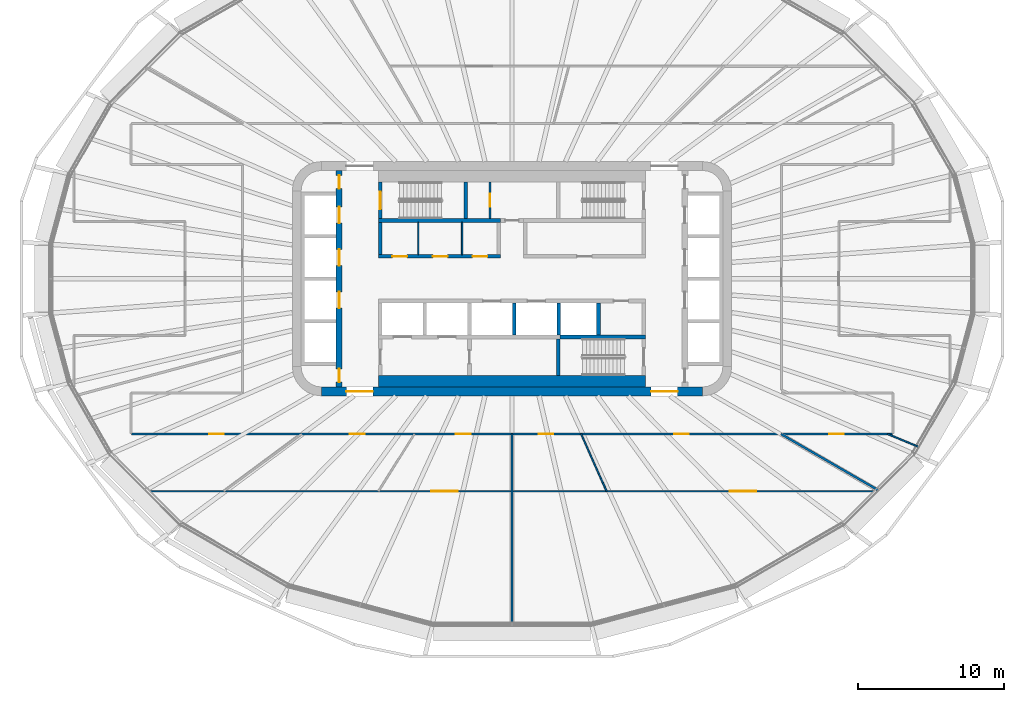
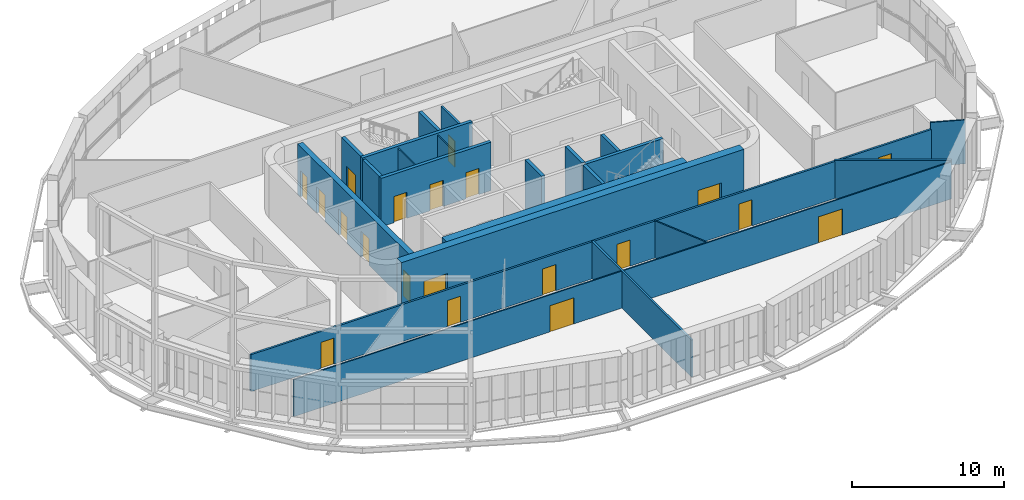
# One storey, part 15 of 25: 22 walls, 20 doors, 20 openings.
"""IFC4 building model written with IfcOpenShell, lengths in metres."""

import ifcopenshell
import ifcopenshell.guid

model = None  # the IFC model being written
_history = None  # IfcOwnerHistory: only IFC2X3 demands one
_inside = {}  # id of a spatial element -> (the spatial element, [elements in it])
_under = {}  # id of a project, library or spatial element -> (it, [spatial elements below it])
_declared = {}  # id of a project -> (the project, [libraries it declares])
_typed = {}  # id of a type object -> (the type object, [elements of that type])
_made_of = {}  # id of a material, layer set ... -> (it, [elements and type objects made of it])


def new_model(schema):
    """Start an empty IFC model of exactly this schema.

    Asked for "IFC4X3", IfcOpenShell would pick the latest addendum, in which some entities
    have other attributes; the version numbers below select the first issue.
    IFC2X3 requires an IfcOwnerHistory on every rooted entity: one is made here for all.
    """
    global model, _history
    if schema == "IFC4X3":
        model = ifcopenshell.file(schema_version=(4, 3, 0, 0))
    else:
        model = ifcopenshell.file(schema=schema)
    _inside.clear()
    _under.clear()
    _declared.clear()
    _typed.clear()
    _made_of.clear()
    _history = None
    if model.schema == "IFC2X3":
        org = make("IfcOrganization", Name="unknown")
        user = make(
            "IfcPersonAndOrganization",
            ThePerson=make("IfcPerson", FamilyName="unknown"),
            TheOrganization=org,
        )
        app = make(
            "IfcApplication",
            ApplicationDeveloper=org,
            Version="unknown",
            ApplicationFullName="unknown",
            ApplicationIdentifier="unknown",
        )
        _history = make(
            "IfcOwnerHistory",
            OwningUser=user,
            OwningApplication=app,
            ChangeAction="ADDED",
            CreationDate=0,
        )
    return model


def make(cls, **values):
    """One entity of the class cls with the attributes given. An attribute that is None is left unset."""
    return model.create_entity(
        cls, **{name: value for name, value in values.items() if value is not None}
    )


def rooted(cls, **values):
    """An entity with a GlobalId (a new one), such as an element, a storey or a relation."""
    return make(cls, GlobalId=ifcopenshell.guid.new(), OwnerHistory=_history, **values)


def si_unit(unit_type, name, prefix=None):
    """IfcSIUnit, for example si_unit("LENGTHUNIT", "METRE", prefix="MILLI")."""
    return make("IfcSIUnit", UnitType=unit_type, Prefix=prefix, Name=name)


def assignment(units):
    """IfcUnitAssignment: the units of a project."""
    return None if units is None else make("IfcUnitAssignment", Units=units)


def point(xyz):
    """IfcCartesianPoint."""
    return None if xyz is None else make("IfcCartesianPoint", Coordinates=xyz)


def direction(xyz):
    """IfcDirection."""
    return None if xyz is None else make("IfcDirection", DirectionRatios=xyz)


def frame(location, z_axis=None, x_axis=None):
    """IfcAxis2Placement3D, a coordinate frame: its origin and axes. An axis left out is left unset."""
    return make(
        "IfcAxis2Placement3D",
        Location=point(location),
        Axis=direction(z_axis),
        RefDirection=direction(x_axis),
    )


def frame_2d(location, x_axis=None):
    """IfcAxis2Placement2D, a coordinate frame in the plane: its origin and x axis."""
    return make(
        "IfcAxis2Placement2D", Location=point(location), RefDirection=direction(x_axis)
    )


def origin():
    """The frame at (0, 0, 0) with its axes left unset."""
    return frame((0.0, 0.0, 0.0))


def place(relative_to, where):
    """IfcLocalPlacement: puts the frame where relative to a parent placement (None: the world)."""
    return make(
        "IfcLocalPlacement", PlacementRelTo=relative_to, RelativePlacement=where
    )


def context(
    kind, dimensions, precision=None, world=None, true_north=None, identifier=None
):
    """IfcGeometricRepresentationContext, for example the 3D "Model" context."""
    return make(
        "IfcGeometricRepresentationContext",
        ContextIdentifier=identifier,
        ContextType=kind,
        CoordinateSpaceDimension=dimensions,
        Precision=precision,
        WorldCoordinateSystem=world,
        TrueNorth=true_north,
    )


def subcontext(parent, identifier, kind, view, scale=None):
    """IfcGeometricRepresentationSubContext, for example "Body" below "Model"."""
    return make(
        "IfcGeometricRepresentationSubContext",
        ContextIdentifier=identifier,
        ContextType=kind,
        ParentContext=parent,
        TargetScale=scale,
        TargetView=view,
    )


def project(units=None, contexts=None):
    """IfcProject with its units and contexts."""
    return rooted(
        "IfcProject",
        Name="project",
        RepresentationContexts=contexts,
        UnitsInContext=assignment(units),
    )


def spatial(cls, under=None, at=None, **own):
    """A site, building, storey or space (cls), placed at a placement, below another one or the project."""
    s = rooted(cls, ObjectPlacement=at, **own)
    if under is not None:
        _under.setdefault(under.id(), (under, []))[1].append(s)
    return s


def profile(cls, at=None, kind="AREA", **sizes):
    """A parametric profile (cls). Its sizes go by their IFC names, for example OverallWidth=200.0."""
    return make(cls, ProfileType=kind, Position=at, **sizes)


def rectangle(**sizes):
    """IfcRectangleProfileDef."""
    return profile("IfcRectangleProfileDef", **sizes)


def extrude(swept, where, along, depth):
    """IfcExtrudedAreaSolid: the profile swept, set in the frame where, extruded along a direction by depth."""
    return make(
        "IfcExtrudedAreaSolid",
        SweptArea=swept,
        Position=where,
        ExtrudedDirection=direction(along),
        Depth=depth,
    )


def shape(context_of_items, identifier, shape_type, items):
    """IfcShapeRepresentation: the items that make up one representation, for example the "Body"."""
    return make(
        "IfcShapeRepresentation",
        ContextOfItems=context_of_items,
        RepresentationIdentifier=identifier,
        RepresentationType=shape_type,
        Items=items,
    )


def material(Name=None, Category=None):
    """IfcMaterial."""
    return make("IfcMaterial", Name=Name, Category=Category)


def layer(
    of_material, thickness, ventilated=None, Name=None, Category=None, Priority=None
):
    """IfcMaterialLayer: one layer of a wall or slab, of a material (None: an air gap)."""
    return make(
        "IfcMaterialLayer",
        Material=of_material,
        LayerThickness=thickness,
        IsVentilated=ventilated,
        Name=Name,
        Category=Category,
        Priority=Priority,
    )


def layer_set(layers, Name=None):
    """IfcMaterialLayerSet."""
    return make("IfcMaterialLayerSet", MaterialLayers=layers, LayerSetName=Name)


def made_of(thing, what):
    """Note that an element or type object is made of a material, layer set ...; save() writes the relation."""
    if what is not None:
        _made_of.setdefault(what.id(), (what, []))[1].append(thing)
    return thing


def type_object(cls, material=None, **own):
    """A type object (cls), such as IfcWallType, which elements share."""
    return made_of(rooted(cls, **own), material)


def element(
    cls,
    number,
    at=None,
    inside=None,
    cuts=None,
    type_object=None,
    material=None,
    context=None,
    identifier="Body",
    shape_type=None,
    held_by="IfcProductDefinitionShape",
    body=None,
    shapes=None,
    **own,
):
    """One element of the class cls, such as IfcWall. Its Tag is "e" and its number.

    at: its placement. inside: the storey or other place that contains it. cuts: it is an
    opening in that element (IfcRelVoidsElement). A single representation is given by context,
    identifier, shape_type and body (its items); several are given by shapes. held_by: the class
    of the entity that holds the representations. save() writes the other relations.
    """
    e = rooted(cls, Tag="e%d" % number, ObjectPlacement=at, **own)
    if body is not None:
        shapes = [shape(context, identifier, shape_type, body)]
    if shapes is not None:
        e.Representation = make(held_by, Representations=shapes)
    if inside is not None:
        _inside.setdefault(inside.id(), (inside, []))[1].append(e)
    if cuts is not None:
        rooted(
            "IfcRelVoidsElement", RelatingBuildingElement=cuts, RelatedOpeningElement=e
        )
    if type_object is not None:
        _typed.setdefault(type_object.id(), (type_object, []))[1].append(e)
    return made_of(e, material)


def fill(opening, filler):
    """IfcRelFillsElement: the door or window that sits in an opening."""
    return rooted(
        "IfcRelFillsElement",
        RelatingOpeningElement=opening,
        RelatedBuildingElement=filler,
    )


def aggregate(whole, parts):
    """IfcRelAggregates: a whole, such as a stair, and the parts it consists of."""
    return rooted("IfcRelAggregates", RelatingObject=whole, RelatedObjects=parts)


def save(model, path):
    """Write the relations noted so far, then the file.

    IfcRelAggregates (storeys below a building ...), IfcRelContainedInSpatialStructure (elements
    in a storey), IfcRelDefinesByType, IfcRelAssociatesMaterial and IfcRelDeclares: one each for
    every whole, place, type object, material and project.
    """
    for whole, parts in _under.values():
        aggregate(whole, parts)
    for where, things in _inside.values():
        rooted(
            "IfcRelContainedInSpatialStructure",
            RelatedElements=things,
            RelatingStructure=where,
        )
    for kind, things in _typed.values():
        rooted("IfcRelDefinesByType", RelatedObjects=things, RelatingType=kind)
    for what, things in _made_of.values():
        rooted("IfcRelAssociatesMaterial", RelatedObjects=things, RelatingMaterial=what)
    for by, libraries in _declared.values():
        rooted("IfcRelDeclares", RelatingContext=by, RelatedDefinitions=libraries)
    model.write(path)


model = new_model("IFC4")

# Units and contexts
model_context = context("Model", 3, precision=1e-05, world=origin(), true_north=direction((0.0, 1.0)))
body_context = subcontext(model_context, "Body", "Model", "MODEL_VIEW")
ifc_project = project(units=[si_unit("LENGTHUNIT", "METRE"), si_unit("AREAUNIT", "SQUARE_METRE"), si_unit("VOLUMEUNIT", "CUBIC_METRE"), si_unit("PLANEANGLEUNIT", "RADIAN"), si_unit("MASSUNIT", "GRAM", prefix="KILO")], contexts=[model_context])

# Site, building, storey
site_placement = place(None, origin())
site = spatial("IfcSite", under=ifc_project, at=site_placement, CompositionType="ELEMENT")
building_placement = place(site_placement, origin())
building = spatial("IfcBuilding", under=site, at=building_placement, Name="Sahrelin Media Tower", CompositionType="ELEMENT")
storey_placement = place(building_placement, frame((0.0, 0.0, 135.60009765625)))
storey = spatial("IfcBuildingStorey", under=building, at=storey_placement, Name="L27", CompositionType="ELEMENT", Elevation=135.60009765625)

# Wall, openings, doors
ifc_material_1 = material(Name="Concrete C60/75", Category="concrete")
ifc_layer_1 = layer(ifc_material_1, 0.60009765625)
ifc_layer_set_1 = layer_set([ifc_layer_1], Name="Core wall 600")
wall_type_1 = type_object("IfcWallType", Name="Core wall 600", PredefinedType="SHEAR", material=ifc_layer_set_1)
wall_1_placement = place(storey_placement, frame((-13.0, -7.699951171875, 0.0), z_axis=(0.0, 0.0, 1.0), x_axis=(1.0, 0.0, 0.0)))
wall_1 = element("IfcWall", 1, at=wall_1_placement, inside=storey, type_object=wall_type_1, Name="Core wall S L27", PredefinedType="SHEAR", context=body_context, shape_type="SweptSolid", body=[
    extrude(rectangle(XDim=26.0, YDim=0.60009765625, at=frame_2d((13.0, 0.0))), origin(), (0.0, 0.0, 1.0), 4.199951171875),
])
opening_1_placement = place(wall_1_placement, frame((1.699951171875, 0.0, 0.0)))
opening_1 = element("IfcOpeningElement", 2, at=opening_1_placement, cuts=wall_1, Name="Opening L27-D19", PredefinedType="OPENING", context=body_context, shape_type="SweptSolid", body=[
    extrude(rectangle(XDim=1.800048828125, YDim=2.10009765625, at=frame_2d((0.89990234375, 1.050048828125))), frame((0.0, 0.300048828125, 0.0), z_axis=(0.0, -1.0, 0.0), x_axis=(1.0, 0.0, 0.0)), (0.0, 0.0, 1.0), 0.60009765625),
])
opening_2_placement = place(wall_1_placement, frame((22.5, 0.0, 0.0)))
opening_2 = element("IfcOpeningElement", 3, at=opening_2_placement, cuts=wall_1, Name="Opening L27-D20", PredefinedType="OPENING", context=body_context, shape_type="SweptSolid", body=[
    extrude(rectangle(XDim=1.800048828125, YDim=2.10009765625, at=frame_2d((0.89990234375, 1.050048828125))), frame((0.0, 0.300048828125, 0.0), z_axis=(0.0, -1.0, 0.0), x_axis=(1.0, 0.0, 0.0)), (0.0, 0.0, 1.0), 0.60009765625),
])
ifc_material_2 = material(Name="Steel fire door leaf", Category="steel")
door_type_1 = type_object("IfcDoorType", Name="Lobby double door 1800 x 2100 EI 60", OperationType="DOUBLE_DOOR_SINGLE_SWING", PredefinedType="DOOR", material=ifc_material_2)
door_1_placement = place(opening_1_placement, origin())
door_1 = element("IfcDoor", 4, at=door_1_placement, inside=storey, type_object=door_type_1, Name="Lobby door", OperationType="DOUBLE_DOOR_SINGLE_SWING", OverallHeight=2.10009765625, OverallWidth=1.800048828125, PredefinedType="DOOR", context=body_context, shape_type="SweptSolid", body=[
    extrude(rectangle(XDim=1.800048828125, YDim=2.10009765625, at=frame_2d((0.89990234375, 1.050048828125))), frame((0.0, 0.02490234375, 0.0), z_axis=(0.0, -1.0, 0.0), x_axis=(1.0, 0.0, 0.0)), (0.0, 0.0, 1.0), 0.050048828125),
])
fill(opening_1, door_1)
door_2_placement = place(opening_2_placement, origin())
door_2 = element("IfcDoor", 5, at=door_2_placement, inside=storey, type_object=door_type_1, Name="Lobby door", OperationType="DOUBLE_DOOR_SINGLE_SWING", OverallHeight=2.10009765625, OverallWidth=1.800048828125, PredefinedType="DOOR", context=body_context, shape_type="SweptSolid", body=[
    extrude(rectangle(XDim=1.800048828125, YDim=2.10009765625, at=frame_2d((0.89990234375, 1.050048828125))), frame((0.0, 0.02490234375, 0.0), z_axis=(0.0, -1.0, 0.0), x_axis=(1.0, 0.0, 0.0)), (0.0, 0.0, 1.0), 0.050048828125),
])
fill(opening_2, door_2)

ifc_material_3 = material(Name="Fire-rated gypsum board partition")
ifc_layer_2 = layer(ifc_material_3, 0.25)
ifc_layer_set_2 = layer_set([ifc_layer_2], Name="Fire-rated lobby wall 250")
wall_type_2 = type_object("IfcWallType", Name="Fire-rated lobby wall 250", PredefinedType="PARTITIONING", material=ifc_layer_set_2)
wall_2_placement = place(storey_placement, frame((-9.125, 1.52490234375, 0.0), z_axis=(0.0, 0.0, 1.0), x_axis=(1.0, 0.0, 0.0)))
wall_2 = element("IfcWall", 6, at=wall_2_placement, inside=storey, type_object=wall_type_2, Name="Core lobby wall", PredefinedType="PARTITIONING", context=body_context, shape_type="SweptSolid", body=[
    extrude(rectangle(XDim=8.35009765625, YDim=0.25, at=frame_2d((4.175048828125, 0.0))), origin(), (0.0, 0.0, 1.0), 3.89990234375),
])
opening_3_placement = place(wall_2_placement, frame((0.96240234375, 0.0, 0.0)))
opening_3 = element("IfcOpeningElement", 7, at=opening_3_placement, cuts=wall_2, Name="Opening L27-D08", PredefinedType="OPENING", context=body_context, shape_type="SweptSolid", body=[
    extrude(rectangle(XDim=1.0, YDim=2.10009765625, at=frame_2d((0.5, 1.050048828125))), frame((0.0, 0.125, 0.0), z_axis=(0.0, -1.0, 0.0), x_axis=(1.0, 0.0, 0.0)), (0.0, 0.0, 1.0), 0.25),
])
opening_4_placement = place(wall_2_placement, frame((3.72509765625, 0.0, 0.0)))
opening_4 = element("IfcOpeningElement", 8, at=opening_4_placement, cuts=wall_2, Name="Opening L27-D09", PredefinedType="OPENING", context=body_context, shape_type="SweptSolid", body=[
    extrude(rectangle(XDim=1.0, YDim=2.10009765625, at=frame_2d((0.5, 1.050048828125))), frame((0.0, 0.125, 0.0), z_axis=(0.0, -1.0, 0.0), x_axis=(1.0, 0.0, 0.0)), (0.0, 0.0, 1.0), 0.25),
])
opening_5_placement = place(wall_2_placement, frame((6.4375, 0.0, 0.0)))
opening_5 = element("IfcOpeningElement", 9, at=opening_5_placement, cuts=wall_2, Name="Opening L27-D10", PredefinedType="OPENING", context=body_context, shape_type="SweptSolid", body=[
    extrude(rectangle(XDim=1.0, YDim=2.10009765625, at=frame_2d((0.5, 1.050048828125))), frame((0.0, 0.125, 0.0), z_axis=(0.0, -1.0, 0.0), x_axis=(1.0, 0.0, 0.0)), (0.0, 0.0, 1.0), 0.25),
])
door_type_2 = type_object("IfcDoorType", Name="Fire door 1000 x 2100 EI 60", OperationType="NOTDEFINED", PredefinedType="DOOR", material=ifc_material_2)
door_3_placement = place(opening_3_placement, origin())
door_3 = element("IfcDoor", 10, at=door_3_placement, inside=storey, type_object=door_type_2, Name="Core room door", OperationType="SINGLE_SWING_LEFT", OverallHeight=2.10009765625, OverallWidth=1.0, PredefinedType="DOOR", context=body_context, shape_type="SweptSolid", body=[
    extrude(rectangle(XDim=1.0, YDim=2.10009765625, at=frame_2d((0.5, 1.050048828125))), frame((0.0, 0.02490234375, 0.0), z_axis=(0.0, -1.0, 0.0), x_axis=(1.0, 0.0, 0.0)), (0.0, 0.0, 1.0), 0.050048828125),
])
fill(opening_3, door_3)
door_4_placement = place(opening_4_placement, origin())
door_4 = element("IfcDoor", 11, at=door_4_placement, inside=storey, type_object=door_type_2, Name="Core room door", OperationType="SINGLE_SWING_LEFT", OverallHeight=2.10009765625, OverallWidth=1.0, PredefinedType="DOOR", context=body_context, shape_type="SweptSolid", body=[
    extrude(rectangle(XDim=1.0, YDim=2.10009765625, at=frame_2d((0.5, 1.050048828125))), frame((0.0, 0.02490234375, 0.0), z_axis=(0.0, -1.0, 0.0), x_axis=(1.0, 0.0, 0.0)), (0.0, 0.0, 1.0), 0.050048828125),
])
fill(opening_4, door_4)
door_5_placement = place(opening_5_placement, origin())
door_5 = element("IfcDoor", 12, at=door_5_placement, inside=storey, type_object=door_type_2, Name="Core room door", OperationType="SINGLE_SWING_LEFT", OverallHeight=2.10009765625, OverallWidth=1.0, PredefinedType="DOOR", context=body_context, shape_type="SweptSolid", body=[
    extrude(rectangle(XDim=1.0, YDim=2.10009765625, at=frame_2d((0.5, 1.050048828125))), frame((0.0, 0.02490234375, 0.0), z_axis=(0.0, -1.0, 0.0), x_axis=(1.0, 0.0, 0.0)), (0.0, 0.0, 1.0), 0.050048828125),
])
fill(opening_5, door_5)

# Walls
wall_3_placement = place(storey_placement, frame((-9.0, 1.64990234375, 0.0), z_axis=(0.0, 0.0, 1.0), x_axis=(0.0, 1.0, 0.0)))
element("IfcWall", 13, at=wall_3_placement, inside=storey, type_object=wall_type_2, Name="Core lobby wall", PredefinedType="PARTITIONING", context=body_context, shape_type="SweptSolid", body=[
    extrude(rectangle(XDim=2.2001953125, YDim=0.25, at=frame_2d((1.10009765625, 0.0))), origin(), (0.0, 0.0, 1.0), 3.89990234375),
])
ifc_layer_3 = layer(ifc_material_3, 0.10009765625)
ifc_layer_set_3 = layer_set([ifc_layer_3], Name="Fire-rated partition 100")
wall_type_3 = type_object("IfcWallType", Name="Fire-rated partition 100", PredefinedType="PARTITIONING", material=ifc_layer_set_3)
for number, where, z_axis, x_axis, name in (
    (14, (-6.39990234375, 1.64990234375, 0.0), (0.0, 0.0, 1.0), (0.0, 1.0, 0.0), "Core room partition"),
    (15, (-3.39990234375, 1.64990234375, 0.0), (0.0, 0.0, 1.0), (0.0, 1.0, 0.0), "Core room partition"),
):
    element("IfcWall", number, at=place(storey_placement, frame(where, z_axis=z_axis, x_axis=x_axis)), inside=storey, type_object=wall_type_3, Name=name, PredefinedType="PARTITIONING", context=body_context, shape_type="SweptSolid", body=[
        extrude(rectangle(XDim=2.2001953125, YDim=0.10009765625, at=frame_2d((1.10009765625, 0.0))), origin(), (0.0, 0.0, 1.0), 3.89990234375),
    ])

# Wall, opening, door
ifc_layer_4 = layer(ifc_material_3, 0.14990234375)
ifc_layer_set_4 = layer_set([ifc_layer_4], Name="Fire-rated partition 150")
wall_type_4 = type_object("IfcWallType", Name="Fire-rated partition 150", PredefinedType="PARTITIONING", material=ifc_layer_set_4)
wall_4_placement = place(storey_placement, frame((-1.5, 4.10009765625, 0.0), z_axis=(0.0, 0.0, 1.0), x_axis=(0.0, 1.0, 0.0)))
wall_4 = element("IfcWall", 16, at=wall_4_placement, inside=storey, type_object=wall_type_4, Name="Core room fire partition", PredefinedType="PARTITIONING", context=body_context, shape_type="SweptSolid", body=[
    extrude(rectangle(XDim=2.5, YDim=0.14990234375, at=frame_2d((1.25, 0.0))), origin(), (0.0, 0.0, 1.0), 3.89990234375),
])
opening_6_placement = place(wall_4_placement, frame((0.800048828125, 0.0, 0.0)))
opening_6 = element("IfcOpeningElement", 17, at=opening_6_placement, cuts=wall_4, Name="Opening L27-D07", PredefinedType="OPENING", context=body_context, shape_type="SweptSolid", body=[
    extrude(rectangle(XDim=0.89990234375, YDim=2.10009765625, at=frame_2d((0.449951171875, 1.050048828125))), frame((0.0, 0.074951171875, 0.0), z_axis=(0.0, -1.0, 0.0), x_axis=(1.0, 0.0, 0.0)), (0.0, 0.0, 1.0), 0.14990234375),
])
door_type_3 = type_object("IfcDoorType", Name="Fire door 900 x 2100 EI 60", OperationType="NOTDEFINED", PredefinedType="DOOR", material=ifc_material_2)
door_6_placement = place(opening_6_placement, origin())
door_6 = element("IfcDoor", 18, at=door_6_placement, inside=storey, type_object=door_type_3, Name="Core room door", OperationType="SINGLE_SWING_LEFT", OverallHeight=2.10009765625, OverallWidth=0.89990234375, PredefinedType="DOOR", context=body_context, shape_type="SweptSolid", body=[
    extrude(rectangle(XDim=0.89990234375, YDim=2.10009765625, at=frame_2d((0.449951171875, 1.050048828125))), frame((0.0, 0.02490234375, 0.0), z_axis=(0.0, -1.0, 0.0), x_axis=(1.0, 0.0, 0.0)), (0.0, 0.0, 1.0), 0.050048828125),
])
fill(opening_6, door_6)

# Wall
wall_5_placement = place(storey_placement, frame((18.35888671875, -10.60009765625, 0.0), z_axis=(0.0, 0.0, 1.0), x_axis=(0.866036201792, -0.499981296836, 0.0)))
element("IfcWall", 19, at=wall_5_placement, inside=storey, type_object=wall_type_4, Name="Wall", PredefinedType="PARTITIONING", context=body_context, shape_type="SweptSolid", body=[
    extrude(rectangle(XDim=7.701904296875, YDim=0.14990234375, at=frame_2d((3.85107421875, 0.0))), origin(), (0.0, 0.0, 1.0), 3.044921875),
])

# Wall, openings, doors
wall_6_placement = place(storey_placement, frame((-25.986083984375, -10.60009765625, 0.0), z_axis=(0.0, 0.0, 1.0), x_axis=(1.0, 0.0, 0.0)))
wall_6 = element("IfcWall", 20, at=wall_6_placement, inside=storey, type_object=wall_type_4, Name="Wall", PredefinedType="PARTITIONING", context=body_context, shape_type="SweptSolid", body=[
    extrude(rectangle(XDim=51.97216796875, YDim=0.14990234375, at=frame_2d((25.986083984375, 0.0))), origin(), (0.0, 0.0, 1.0), 2.968017578125),
])
opening_7_placement = place(wall_6_placement, frame((47.628173828125, 0.0, 0.0)))
opening_7 = element("IfcOpeningElement", 21, at=opening_7_placement, cuts=wall_6, Name="Opening L27-D21", PredefinedType="OPENING", context=body_context, shape_type="SweptSolid", body=[
    extrude(rectangle(XDim=1.0, YDim=2.10009765625, at=frame_2d((0.5, 1.050048828125))), frame((0.0, 0.074951171875, 0.0), z_axis=(0.0, -1.0, 0.0), x_axis=(1.0, 0.0, 0.0)), (0.0, 0.0, 1.0), 0.14990234375),
])
opening_8_placement = place(wall_6_placement, frame((5.3115234375, 0.0, 0.0)))
opening_8 = element("IfcOpeningElement", 22, at=opening_8_placement, cuts=wall_6, Name="Opening L27-D32", PredefinedType="OPENING", context=body_context, shape_type="SweptSolid", body=[
    extrude(rectangle(XDim=1.0, YDim=2.10009765625, at=frame_2d((0.5, 1.050048828125))), frame((0.0, 0.074951171875, 0.0), z_axis=(0.0, -1.0, 0.0), x_axis=(1.0, 0.0, 0.0)), (0.0, 0.0, 1.0), 0.14990234375),
])
opening_9_placement = place(wall_6_placement, frame((14.924072265625, 0.0, 0.0)))
opening_9 = element("IfcOpeningElement", 23, at=opening_9_placement, cuts=wall_6, Name="Opening L27-D33", PredefinedType="OPENING", context=body_context, shape_type="SweptSolid", body=[
    extrude(rectangle(XDim=1.0, YDim=2.10009765625, at=frame_2d((0.5, 1.050048828125))), frame((0.0, 0.074951171875, 0.0), z_axis=(0.0, -1.0, 0.0), x_axis=(1.0, 0.0, 0.0)), (0.0, 0.0, 1.0), 0.14990234375),
])
opening_10_placement = place(wall_6_placement, frame((22.155517578125, 0.0, 0.0)))
opening_10 = element("IfcOpeningElement", 24, at=opening_10_placement, cuts=wall_6, Name="Opening L27-D34", PredefinedType="OPENING", context=body_context, shape_type="SweptSolid", body=[
    extrude(rectangle(XDim=1.0, YDim=2.10009765625, at=frame_2d((0.5, 1.050048828125))), frame((0.0, 0.074951171875, 0.0), z_axis=(0.0, -1.0, 0.0), x_axis=(1.0, 0.0, 0.0)), (0.0, 0.0, 1.0), 0.14990234375),
])
opening_11_placement = place(wall_6_placement, frame((27.795166015625, 0.0, 0.0)))
opening_11 = element("IfcOpeningElement", 25, at=opening_11_placement, cuts=wall_6, Name="Opening L27-D36", PredefinedType="OPENING", context=body_context, shape_type="SweptSolid", body=[
    extrude(rectangle(XDim=1.0, YDim=2.10009765625, at=frame_2d((0.5, 1.050048828125))), frame((0.0, 0.074951171875, 0.0), z_axis=(0.0, -1.0, 0.0), x_axis=(1.0, 0.0, 0.0)), (0.0, 0.0, 1.0), 0.14990234375),
])
opening_12_placement = place(wall_6_placement, frame((37.04541015625, 0.0, 0.0)))
opening_12 = element("IfcOpeningElement", 26, at=opening_12_placement, cuts=wall_6, Name="Opening L27-D37", PredefinedType="OPENING", context=body_context, shape_type="SweptSolid", body=[
    extrude(rectangle(XDim=1.0, YDim=2.10009765625, at=frame_2d((0.5, 1.050048828125))), frame((0.0, 0.074951171875, 0.0), z_axis=(0.0, -1.0, 0.0), x_axis=(1.0, 0.0, 0.0)), (0.0, 0.0, 1.0), 0.14990234375),
])
door_7_placement = place(opening_7_placement, origin())
door_7 = element("IfcDoor", 27, at=door_7_placement, inside=storey, type_object=door_type_2, Name="Fire door", OperationType="SINGLE_SWING_LEFT", OverallHeight=2.10009765625, OverallWidth=1.0, PredefinedType="DOOR", context=body_context, shape_type="SweptSolid", body=[
    extrude(rectangle(XDim=1.0, YDim=2.10009765625, at=frame_2d((0.5, 1.050048828125))), frame((0.0, 0.02490234375, 0.0), z_axis=(0.0, -1.0, 0.0), x_axis=(1.0, 0.0, 0.0)), (0.0, 0.0, 1.0), 0.050048828125),
])
fill(opening_7, door_7)
door_8_placement = place(opening_8_placement, origin())
door_8 = element("IfcDoor", 28, at=door_8_placement, inside=storey, type_object=door_type_2, Name="Fire door", OperationType="SINGLE_SWING_RIGHT", OverallHeight=2.10009765625, OverallWidth=1.0, PredefinedType="DOOR", context=body_context, shape_type="SweptSolid", body=[
    extrude(rectangle(XDim=1.0, YDim=2.10009765625, at=frame_2d((0.5, 1.050048828125))), frame((0.0, 0.02490234375, 0.0), z_axis=(0.0, -1.0, 0.0), x_axis=(1.0, 0.0, 0.0)), (0.0, 0.0, 1.0), 0.050048828125),
])
fill(opening_8, door_8)
door_9_placement = place(opening_9_placement, origin())
door_9 = element("IfcDoor", 29, at=door_9_placement, inside=storey, type_object=door_type_2, Name="Fire door", OperationType="SINGLE_SWING_RIGHT", OverallHeight=2.10009765625, OverallWidth=1.0, PredefinedType="DOOR", context=body_context, shape_type="SweptSolid", body=[
    extrude(rectangle(XDim=1.0, YDim=2.10009765625, at=frame_2d((0.5, 1.050048828125))), frame((0.0, 0.02490234375, 0.0), z_axis=(0.0, -1.0, 0.0), x_axis=(1.0, 0.0, 0.0)), (0.0, 0.0, 1.0), 0.050048828125),
])
fill(opening_9, door_9)
door_10_placement = place(opening_10_placement, origin())
door_10 = element("IfcDoor", 30, at=door_10_placement, inside=storey, type_object=door_type_2, Name="Fire door", OperationType="SINGLE_SWING_RIGHT", OverallHeight=2.10009765625, OverallWidth=1.0, PredefinedType="DOOR", context=body_context, shape_type="SweptSolid", body=[
    extrude(rectangle(XDim=1.0, YDim=2.10009765625, at=frame_2d((0.5, 1.050048828125))), frame((0.0, 0.02490234375, 0.0), z_axis=(0.0, -1.0, 0.0), x_axis=(1.0, 0.0, 0.0)), (0.0, 0.0, 1.0), 0.050048828125),
])
fill(opening_10, door_10)
door_11_placement = place(opening_11_placement, origin())
door_11 = element("IfcDoor", 31, at=door_11_placement, inside=storey, type_object=door_type_2, Name="Fire door", OperationType="SINGLE_SWING_LEFT", OverallHeight=2.10009765625, OverallWidth=1.0, PredefinedType="DOOR", context=body_context, shape_type="SweptSolid", body=[
    extrude(rectangle(XDim=1.0, YDim=2.10009765625, at=frame_2d((0.5, 1.050048828125))), frame((0.0, 0.02490234375, 0.0), z_axis=(0.0, -1.0, 0.0), x_axis=(1.0, 0.0, 0.0)), (0.0, 0.0, 1.0), 0.050048828125),
])
fill(opening_11, door_11)
door_12_placement = place(opening_12_placement, origin())
door_12 = element("IfcDoor", 32, at=door_12_placement, inside=storey, type_object=door_type_2, Name="Fire door", OperationType="SINGLE_SWING_LEFT", OverallHeight=2.10009765625, OverallWidth=1.0, PredefinedType="DOOR", context=body_context, shape_type="SweptSolid", body=[
    extrude(rectangle(XDim=1.0, YDim=2.10009765625, at=frame_2d((0.5, 1.050048828125))), frame((0.0, 0.02490234375, 0.0), z_axis=(0.0, -1.0, 0.0), x_axis=(1.0, 0.0, 0.0)), (0.0, 0.0, 1.0), 0.050048828125),
])
fill(opening_12, door_12)

# Walls
wall_7_placement = place(storey_placement, frame((0.0, -23.696044921875, 0.0), z_axis=(0.0, 0.0, 1.0), x_axis=(0.0, 1.0, 0.0)))
element("IfcWall", 33, at=wall_7_placement, inside=storey, type_object=wall_type_4, Name="Wall", PredefinedType="PARTITIONING", context=body_context, shape_type="SweptSolid", body=[
    extrude(rectangle(XDim=13.095947265625, YDim=0.14990234375, at=frame_2d((6.5478515625, 0.0))), origin(), (0.0, 0.0, 1.0), 2.968017578125),
])
ifc_layer_5 = layer(ifc_material_1, 0.25)
ifc_layer_set_5 = layer_set([ifc_layer_5], Name="Lift shaft wall 250")
wall_type_5 = type_object("IfcWallType", Name="Lift shaft wall 250", PredefinedType="SOLIDWALL", material=ifc_layer_set_5)
wall_8_placement = place(storey_placement, frame((3.27490234375, -3.97509765625, 0.0), z_axis=(0.0, 0.0, 1.0), x_axis=(1.0, 0.0, 0.0)))
element("IfcWall", 34, at=wall_8_placement, inside=storey, type_object=wall_type_5, Name="Lift shaft wall", PredefinedType="SOLIDWALL", context=body_context, shape_type="SweptSolid", body=[
    extrude(rectangle(XDim=5.85009765625, YDim=0.25, at=frame_2d((2.925048828125, 0.0))), origin(), (0.0, 0.0, 1.0), 4.0498046875),
])
for number, where, z_axis, x_axis, name in (
    (35, (0.14990234375, -3.85009765625, 0.0), (0.0, 0.0, 1.0), (0.0, 1.0, 0.0), "Lift shaft wall"),
    (36, (3.199951171875, -3.85009765625, 0.0), (0.0, 0.0, 1.0), (0.0, 1.0, 0.0), "Lift shaft wall"),
    (37, (5.89990234375, -3.85009765625, 0.0), (0.0, 0.0, 1.0), (0.0, 1.0, 0.0), "Lift shaft wall"),
):
    element("IfcWall", number, at=place(storey_placement, frame(where, z_axis=z_axis, x_axis=x_axis)), inside=storey, type_object=wall_type_5, Name=name, PredefinedType="SOLIDWALL", context=body_context, shape_type="SweptSolid", body=[
        extrude(rectangle(XDim=2.2001953125, YDim=0.25, at=frame_2d((1.10009765625, 0.0))), origin(), (0.0, 0.0, 1.0), 4.0498046875),
    ])

# Wall, openings, doors
ifc_layer_6 = layer(ifc_material_1, 0.39990234375)
ifc_layer_set_6 = layer_set([ifc_layer_6], Name="Lift shaft wall 400")
wall_type_6 = type_object("IfcWallType", Name="Lift shaft wall 400", PredefinedType="SOLIDWALL", material=ifc_layer_set_6)
wall_9_placement = place(storey_placement, frame((-11.800048828125, -7.39990234375, 0.0), z_axis=(0.0, 0.0, 1.0), x_axis=(0.0, 1.0, 0.0)))
wall_9 = element("IfcWall", 38, at=wall_9_placement, inside=storey, type_object=wall_type_6, Name="Lift shaft wall", PredefinedType="SOLIDWALL", context=body_context, shape_type="SweptSolid", body=[
    extrude(rectangle(XDim=14.7998046875, YDim=0.39990234375, at=frame_2d((7.39990234375, 0.0))), origin(), (0.0, 0.0, 1.0), 4.0498046875),
])
opening_13_placement = place(wall_9_placement, frame((11.199951171875, 0.0, 0.0)))
opening_13 = element("IfcOpeningElement", 39, at=opening_13_placement, cuts=wall_9, Name="Opening L27-LD-LR1", PredefinedType="OPENING", context=body_context, shape_type="SweptSolid", body=[
    extrude(rectangle(XDim=1.10009765625, YDim=2.10009765625, at=frame_2d((0.550048828125, 1.050048828125))), frame((0.0, 0.199951171875, 0.0), z_axis=(0.0, -1.0, 0.0), x_axis=(1.0, 0.0, 0.0)), (0.0, 0.0, 1.0), 0.39990234375),
])
opening_14_placement = place(wall_9_placement, frame((8.300048828125, 0.0, 0.0)))
opening_14 = element("IfcOpeningElement", 40, at=opening_14_placement, cuts=wall_9, Name="Opening L27-LD-LR2", PredefinedType="OPENING", context=body_context, shape_type="SweptSolid", body=[
    extrude(rectangle(XDim=1.10009765625, YDim=2.10009765625, at=frame_2d((0.550048828125, 1.050048828125))), frame((0.0, 0.199951171875, 0.0), z_axis=(0.0, -1.0, 0.0), x_axis=(1.0, 0.0, 0.0)), (0.0, 0.0, 1.0), 0.39990234375),
])
opening_15_placement = place(wall_9_placement, frame((5.39990234375, 0.0, 0.0)))
opening_15 = element("IfcOpeningElement", 41, at=opening_15_placement, cuts=wall_9, Name="Opening L27-LD-LR3", PredefinedType="OPENING", context=body_context, shape_type="SweptSolid", body=[
    extrude(rectangle(XDim=1.10009765625, YDim=2.10009765625, at=frame_2d((0.550048828125, 1.050048828125))), frame((0.0, 0.199951171875, 0.0), z_axis=(0.0, -1.0, 0.0), x_axis=(1.0, 0.0, 0.0)), (0.0, 0.0, 1.0), 0.39990234375),
])
opening_16_placement = place(wall_9_placement, frame((13.552490234375, 0.0, 0.0)))
opening_16 = element("IfcOpeningElement", 42, at=opening_16_placement, cuts=wall_9, Name="Opening L27-D13", PredefinedType="OPENING", context=body_context, shape_type="SweptSolid", body=[
    extrude(rectangle(XDim=0.89990234375, YDim=2.10009765625, at=frame_2d((0.449951171875, 1.050048828125))), frame((0.0, 0.199951171875, 0.0), z_axis=(0.0, -1.0, 0.0), x_axis=(1.0, 0.0, 0.0)), (0.0, 0.0, 1.0), 0.39990234375),
])
opening_17_placement = place(wall_9_placement, frame((0.347412109375, 0.0, 0.0)))
opening_17 = element("IfcOpeningElement", 43, at=opening_17_placement, cuts=wall_9, Name="Opening L27-D14", PredefinedType="OPENING", context=body_context, shape_type="SweptSolid", body=[
    extrude(rectangle(XDim=0.89990234375, YDim=2.10009765625, at=frame_2d((0.449951171875, 1.050048828125))), frame((0.0, 0.199951171875, 0.0), z_axis=(0.0, -1.0, 0.0), x_axis=(1.0, 0.0, 0.0)), (0.0, 0.0, 1.0), 0.39990234375),
])
ifc_material_4 = material(Name="Stainless steel", Category="steel")
door_type_4 = type_object("IfcDoorType", Name="Lift landing door 1100 x 2100 EI 120", OperationType="DOUBLE_DOOR_SLIDING", PredefinedType="DOOR", material=ifc_material_4)
door_13_placement = place(opening_13_placement, origin())
door_13 = element("IfcDoor", 44, at=door_13_placement, inside=storey, type_object=door_type_4, Name="Lift landing door LR1", OperationType="DOUBLE_DOOR_SLIDING", OverallHeight=2.10009765625, OverallWidth=1.10009765625, PredefinedType="DOOR", context=body_context, shape_type="SweptSolid", body=[
    extrude(rectangle(XDim=1.10009765625, YDim=2.10009765625, at=frame_2d((0.550048828125, 1.050048828125))), frame((0.0, 0.02490234375, 0.0), z_axis=(0.0, -1.0, 0.0), x_axis=(1.0, 0.0, 0.0)), (0.0, 0.0, 1.0), 0.050048828125),
])
fill(opening_13, door_13)
door_14_placement = place(opening_14_placement, origin())
door_14 = element("IfcDoor", 45, at=door_14_placement, inside=storey, type_object=door_type_4, Name="Lift landing door LR2", OperationType="DOUBLE_DOOR_SLIDING", OverallHeight=2.10009765625, OverallWidth=1.10009765625, PredefinedType="DOOR", context=body_context, shape_type="SweptSolid", body=[
    extrude(rectangle(XDim=1.10009765625, YDim=2.10009765625, at=frame_2d((0.550048828125, 1.050048828125))), frame((0.0, 0.02490234375, 0.0), z_axis=(0.0, -1.0, 0.0), x_axis=(1.0, 0.0, 0.0)), (0.0, 0.0, 1.0), 0.050048828125),
])
fill(opening_14, door_14)
door_15_placement = place(opening_15_placement, origin())
door_15 = element("IfcDoor", 46, at=door_15_placement, inside=storey, type_object=door_type_4, Name="Lift landing door LR3", OperationType="DOUBLE_DOOR_SLIDING", OverallHeight=2.10009765625, OverallWidth=1.10009765625, PredefinedType="DOOR", context=body_context, shape_type="SweptSolid", body=[
    extrude(rectangle(XDim=1.10009765625, YDim=2.10009765625, at=frame_2d((0.550048828125, 1.050048828125))), frame((0.0, 0.02490234375, 0.0), z_axis=(0.0, -1.0, 0.0), x_axis=(1.0, 0.0, 0.0)), (0.0, 0.0, 1.0), 0.050048828125),
])
fill(opening_15, door_15)
door_type_5 = type_object("IfcDoorType", Name="Riser door 900 x 2100 EI 120", OperationType="NOTDEFINED", PredefinedType="DOOR", material=ifc_material_2)
door_16_placement = place(opening_16_placement, origin())
door_16 = element("IfcDoor", 47, at=door_16_placement, inside=storey, type_object=door_type_5, Name="Riser door", OperationType="SINGLE_SWING_LEFT", OverallHeight=2.10009765625, OverallWidth=0.89990234375, PredefinedType="DOOR", context=body_context, shape_type="SweptSolid", body=[
    extrude(rectangle(XDim=0.89990234375, YDim=2.10009765625, at=frame_2d((0.449951171875, 1.050048828125))), frame((0.0, 0.02490234375, 0.0), z_axis=(0.0, -1.0, 0.0), x_axis=(1.0, 0.0, 0.0)), (0.0, 0.0, 1.0), 0.050048828125),
])
fill(opening_16, door_16)
door_17_placement = place(opening_17_placement, origin())
door_17 = element("IfcDoor", 48, at=door_17_placement, inside=storey, type_object=door_type_5, Name="Riser door", OperationType="SINGLE_SWING_LEFT", OverallHeight=2.10009765625, OverallWidth=0.89990234375, PredefinedType="DOOR", context=body_context, shape_type="SweptSolid", body=[
    extrude(rectangle(XDim=0.89990234375, YDim=2.10009765625, at=frame_2d((0.449951171875, 1.050048828125))), frame((0.0, 0.02490234375, 0.0), z_axis=(0.0, -1.0, 0.0), x_axis=(1.0, 0.0, 0.0)), (0.0, 0.0, 1.0), 0.050048828125),
])
fill(opening_17, door_17)

# Walls
ifc_material_5 = material(Name="Gypsum board partition")
ifc_layer_7 = layer(ifc_material_5, 0.10009765625)
ifc_layer_set_7 = layer_set([ifc_layer_7], Name="Partition 100")
wall_type_7 = type_object("IfcWallType", Name="Partition 100", PredefinedType="PARTITIONING", material=ifc_layer_set_7)
wall_10_placement = place(storey_placement, frame((4.718994140625, -10.60009765625, 0.0), z_axis=(0.0, 0.0, 1.0), x_axis=(0.406768186446, -0.913531412977, 0.0)))
element("IfcWall", 49, at=wall_10_placement, inside=storey, type_object=wall_type_7, Name="Wall", PredefinedType="PARTITIONING", context=body_context, shape_type="SweptSolid", body=[
    extrude(rectangle(XDim=4.280029296875, YDim=0.10009765625, at=frame_2d((2.14013671875, 0.0))), origin(), (0.0, 0.0, 1.0), 2.968017578125),
])
wall_11_placement = place(storey_placement, frame((25.635009765625, -10.60009765625, 0.0), z_axis=(0.0, 0.0, 1.0), x_axis=(0.924087226733, -0.382181628796, 0.0)))
element("IfcWall", 50, at=wall_11_placement, inside=storey, type_object=wall_type_7, Name="Wall", PredefinedType="PARTITIONING", context=body_context, shape_type="SweptSolid", body=[
    extrude(rectangle(XDim=2.3232421875, YDim=0.10009765625, at=frame_2d((1.16162109375, 0.0))), origin(), (0.0, 0.0, 1.0), 3.52490234375),
])

# Wall, openings, doors
wall_12_placement = place(storey_placement, frame((-24.969970703125, -14.510009765625, 0.0), z_axis=(0.0, 0.0, 1.0), x_axis=(1.0, 0.0, 0.0)))
wall_12 = element("IfcWall", 51, at=wall_12_placement, inside=storey, type_object=wall_type_7, Name="Wall", PredefinedType="PARTITIONING", context=body_context, shape_type="SweptSolid", body=[
    extrude(rectangle(XDim=49.93994140625, YDim=0.10009765625, at=frame_2d((24.969970703125, 0.0))), origin(), (0.0, 0.0, 1.0), 2.968017578125),
])
opening_18_placement = place(wall_12_placement, frame((19.46142578125, 0.0, 0.0)))
opening_18 = element("IfcOpeningElement", 52, at=opening_18_placement, cuts=wall_12, Name="Opening L27-D35", PredefinedType="OPENING", context=body_context, shape_type="SweptSolid", body=[
    extrude(rectangle(XDim=1.800048828125, YDim=2.10009765625, at=frame_2d((0.89990234375, 1.050048828125))), frame((0.0, 0.050048828125, 0.0), z_axis=(0.0, -1.0, 0.0), x_axis=(1.0, 0.0, 0.0)), (0.0, 0.0, 1.0), 0.10009765625),
])
opening_19_placement = place(wall_12_placement, frame((39.8349609375, 0.0, 0.0)))
opening_19 = element("IfcOpeningElement", 53, at=opening_19_placement, cuts=wall_12, Name="Opening L27-D38", PredefinedType="OPENING", context=body_context, shape_type="SweptSolid", body=[
    extrude(rectangle(XDim=1.800048828125, YDim=2.10009765625, at=frame_2d((0.89990234375, 1.050048828125))), frame((0.0, 0.050048828125, 0.0), z_axis=(0.0, -1.0, 0.0), x_axis=(1.0, 0.0, 0.0)), (0.0, 0.0, 1.0), 0.10009765625),
])
ifc_material_6 = material(Name="Timber door leaf", Category="wood")
door_type_6 = type_object("IfcDoorType", Name="Double door 1800 x 2100", OperationType="DOUBLE_DOOR_SINGLE_SWING", PredefinedType="DOOR", material=ifc_material_6)
door_18_placement = place(opening_18_placement, origin())
door_18 = element("IfcDoor", 54, at=door_18_placement, inside=storey, type_object=door_type_6, Name="Double door", OperationType="DOUBLE_DOOR_SINGLE_SWING", OverallHeight=2.10009765625, OverallWidth=1.800048828125, PredefinedType="DOOR", context=body_context, shape_type="SweptSolid", body=[
    extrude(rectangle(XDim=1.800048828125, YDim=2.10009765625, at=frame_2d((0.89990234375, 1.050048828125))), frame((0.0, 0.02490234375, 0.0), z_axis=(0.0, -1.0, 0.0), x_axis=(1.0, 0.0, 0.0)), (0.0, 0.0, 1.0), 0.050048828125),
])
fill(opening_18, door_18)
door_19_placement = place(opening_19_placement, origin())
door_19 = element("IfcDoor", 55, at=door_19_placement, inside=storey, type_object=door_type_6, Name="Double door", OperationType="DOUBLE_DOOR_SINGLE_SWING", OverallHeight=2.10009765625, OverallWidth=1.800048828125, PredefinedType="DOOR", context=body_context, shape_type="SweptSolid", body=[
    extrude(rectangle(XDim=1.800048828125, YDim=2.10009765625, at=frame_2d((0.89990234375, 1.050048828125))), frame((0.0, 0.02490234375, 0.0), z_axis=(0.0, -1.0, 0.0), x_axis=(1.0, 0.0, 0.0)), (0.0, 0.0, 1.0), 0.050048828125),
])
fill(opening_19, door_19)

# Wall, opening, door
ifc_layer_8 = layer(ifc_material_1, 0.25)
ifc_layer_set_8 = layer_set([ifc_layer_8], Name="Stair enclosure wall 250")
wall_type_8 = type_object("IfcWallType", Name="Stair enclosure wall 250", PredefinedType="SOLIDWALL", material=ifc_layer_set_8)
wall_13_placement = place(storey_placement, frame((-9.0, 4.10009765625, 0.0), z_axis=(0.0, 0.0, 1.0), x_axis=(0.0, 1.0, 0.0)))
wall_13 = element("IfcWall", 56, at=wall_13_placement, inside=storey, type_object=wall_type_8, Name="Stair enclosure wall", PredefinedType="SOLIDWALL", context=body_context, shape_type="SweptSolid", body=[
    extrude(rectangle(XDim=2.5, YDim=0.25, at=frame_2d((1.25, 0.0))), origin(), (0.0, 0.0, 1.0), 4.0498046875),
])
opening_20_placement = place(wall_13_placement, frame((0.64990234375, 0.0, 0.0)))
opening_20 = element("IfcOpeningElement", 57, at=opening_20_placement, cuts=wall_13, Name="Opening L27-D01", PredefinedType="OPENING", context=body_context, shape_type="SweptSolid", body=[
    extrude(rectangle(XDim=1.199951171875, YDim=2.10009765625, at=frame_2d((0.60009765625, 1.050048828125))), frame((0.0, 0.125, 0.0), z_axis=(0.0, -1.0, 0.0), x_axis=(1.0, 0.0, 0.0)), (0.0, 0.0, 1.0), 0.25),
])
door_type_7 = type_object("IfcDoorType", Name="Stair door 1200 x 2100 EI 120", OperationType="NOTDEFINED", PredefinedType="DOOR", material=ifc_material_2)
door_20_placement = place(opening_20_placement, origin())
door_20 = element("IfcDoor", 58, at=door_20_placement, inside=storey, type_object=door_type_7, Name="Stair door ST1", OperationType="SINGLE_SWING_RIGHT", OverallHeight=2.10009765625, OverallWidth=1.199951171875, PredefinedType="DOOR", context=body_context, shape_type="SweptSolid", body=[
    extrude(rectangle(XDim=1.199951171875, YDim=2.10009765625, at=frame_2d((0.60009765625, 1.050048828125))), frame((0.0, 0.02490234375, 0.0), z_axis=(0.0, -1.0, 0.0), x_axis=(1.0, 0.0, 0.0)), (0.0, 0.0, 1.0), 0.050048828125),
])
fill(opening_20, door_20)

# Walls
for number, where, z_axis, x_axis, name in (
    (59, (-3.14990234375, 4.10009765625, 0.0), (0.0, 0.0, 1.0), (0.0, 1.0, 0.0), "Stair enclosure wall"),
    (60, (3.14990234375, -6.60009765625, 0.0), (0.0, 0.0, 1.0), (0.0, 1.0, 0.0), "Stair enclosure wall"),
):
    element("IfcWall", number, at=place(storey_placement, frame(where, z_axis=z_axis, x_axis=x_axis)), inside=storey, type_object=wall_type_8, Name=name, PredefinedType="SOLIDWALL", context=body_context, shape_type="SweptSolid", body=[
        extrude(rectangle(XDim=2.5, YDim=0.25, at=frame_2d((1.25, 0.0))), origin(), (0.0, 0.0, 1.0), 4.0498046875),
    ])
wall_14_placement = place(storey_placement, frame((-9.125, 3.97509765625, 0.0), z_axis=(0.0, 0.0, 1.0), x_axis=(1.0, 0.0, 0.0)))
element("IfcWall", 61, at=wall_14_placement, inside=storey, type_object=wall_type_8, Name="Stair enclosure wall", PredefinedType="SOLIDWALL", context=body_context, shape_type="SweptSolid", body=[
    extrude(rectangle(XDim=8.35009765625, YDim=0.25, at=frame_2d((4.175048828125, 0.0))), origin(), (0.0, 0.0, 1.0), 4.0498046875),
])
ifc_layer_9 = layer(ifc_material_1, 0.800048828125)
ifc_layer_set_9 = layer_set([ifc_layer_9], Name="Stair enclosure wall 800")
wall_type_9 = type_object("IfcWallType", Name="Stair enclosure wall 800", PredefinedType="SOLIDWALL", material=ifc_layer_set_9)
wall_15_placement = place(storey_placement, frame((-9.125, -7.0, 0.0), z_axis=(0.0, 0.0, 1.0), x_axis=(1.0, 0.0, 0.0)))
element("IfcWall", 62, at=wall_15_placement, inside=storey, type_object=wall_type_9, Name="Stair enclosure wall", PredefinedType="SOLIDWALL", context=body_context, shape_type="SweptSolid", body=[
    extrude(rectangle(XDim=18.25, YDim=0.800048828125, at=frame_2d((9.125, 0.0))), origin(), (0.0, 0.0, 1.0), 4.0498046875),
])

save(model, "model.ifc")
